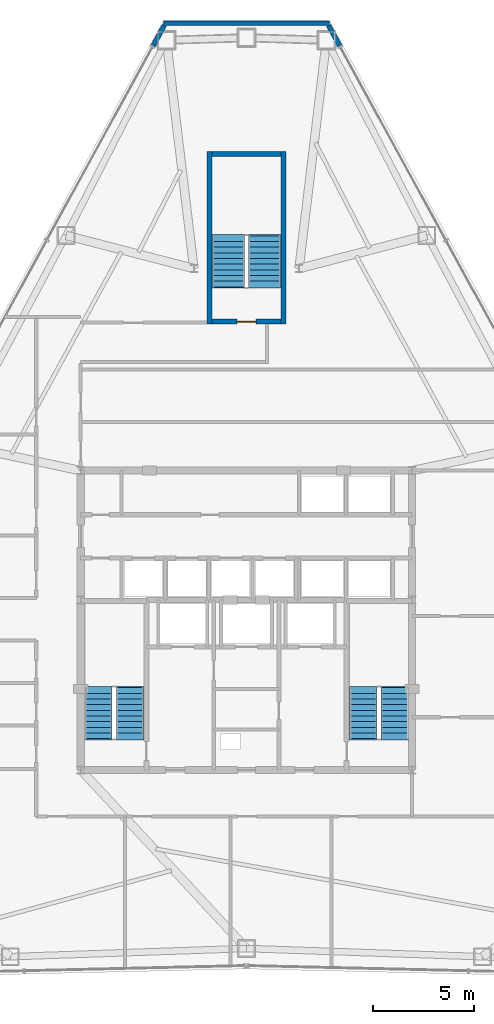
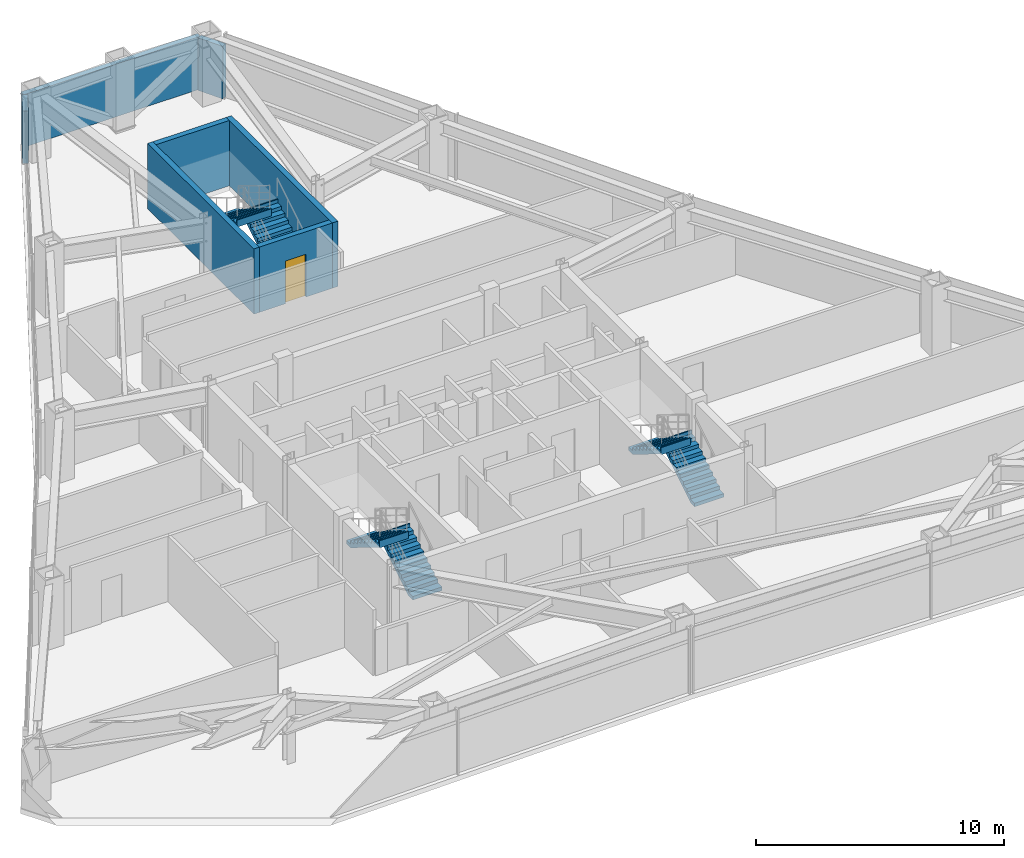
# One storey, part 10 of 11: 7 walls, 6 stair flights, 1 door, 1 opening, 3 elements without a shape of their own.
"""IFC4 building model written with IfcOpenShell, lengths in metres."""

from ifc_helpers import new_model, si_unit, direction, frame, frame_2d, origin, place, context, subcontext, project, spatial, polyline, rectangle, outline, extrude, material, layer, layer_set, type_object, element, fill, aggregate, save


model = new_model("IFC4")

# Units and contexts
model_context = context("Model", 3, precision=1e-05, world=origin(), true_north=direction((0.0, 1.0)))
body_context = subcontext(model_context, "Body", "Model", "MODEL_VIEW")
ifc_project = project(units=[si_unit("LENGTHUNIT", "METRE"), si_unit("AREAUNIT", "SQUARE_METRE"), si_unit("VOLUMEUNIT", "CUBIC_METRE"), si_unit("PLANEANGLEUNIT", "RADIAN"), si_unit("MASSUNIT", "GRAM", prefix="KILO")], contexts=[model_context])

# Site, building, storey
site_placement = place(None, origin())
site = spatial("IfcSite", under=ifc_project, at=site_placement, CompositionType="ELEMENT")
building_placement = place(site_placement, origin())
building = spatial("IfcBuilding", under=site, at=building_placement, Name="Varakhsha Concourse Tower", CompositionType="ELEMENT")
storey_placement = place(building_placement, frame((0.0, 0.0, 150.5)))
storey = spatial("IfcBuildingStorey", under=building, at=storey_placement, Name="L43", CompositionType="ELEMENT", Elevation=150.5)

# Walls
ifc_material_1 = material(Name="Concrete fc 45 MPa", Category="concrete")
ifc_layer_1 = layer(ifc_material_1, 0.239990234375, Name="WL-EXT-CRN-240")
ifc_layer_set_1 = layer_set([ifc_layer_1], Name="Concrete fc 45 MPa")
wall_type_1 = type_object("IfcWallType", Name="WL-EXT-CRN-240", PredefinedType="SHEAR", material=ifc_layer_set_1)
wall_1_placement = place(storey_placement, frame((35.89990234375, 53.338623046875, 0.0), z_axis=(0.0, 0.0, 1.0), x_axis=(1.0, 0.0, 0.0)))
element("IfcWall", 1, at=wall_1_placement, inside=storey, type_object=wall_type_1, Name="L43 Chamfer Wind-Corner Insulated Wall F1", PredefinedType="SHEAR", context=body_context, shape_type="SweptSolid", body=[
    extrude(rectangle(XDim=8.2001953125, YDim=0.239990234375, at=frame_2d((4.10009765625, 0.0))), origin(), (0.0, 0.0, 1.0), 2.5830078125),
])
for number, where, z_axis, x_axis, name in (
    (2, (35.934814453125, 53.228759765625, 0.0), (0.0, 0.0, 1.0), (-0.479514212656, -0.877534113218, 0.0), "L43 Wind-Corner Shoulder Wall F2"),
    (3, (44.62255859375, 52.208740234375, 0.0), (0.0, 0.0, 1.0), (-0.479514212656, 0.877534113218, 0.0), "L43 Wind-Corner Shoulder Wall F9"),
):
    element("IfcWall", number, at=place(storey_placement, frame(where, z_axis=z_axis, x_axis=x_axis)), inside=storey, type_object=wall_type_1, Name=name, PredefinedType="SHEAR", context=body_context, shape_type="SweptSolid", body=[
        extrude(rectangle(XDim=1.162353515625, YDim=0.239990234375, at=frame_2d((0.5810546875, 0.0))), origin(), (0.0, 0.0, 1.0), 2.5830078125),
    ])
ifc_layer_2 = layer(ifc_material_1, 0.25, Name="WL-STAIR-250")
ifc_layer_set_2 = layer_set([ifc_layer_2], Name="Concrete fc 45 MPa")
wall_type_2 = type_object("IfcWallType", Name="WL-STAIR-250", PredefinedType="SHEAR", material=ifc_layer_set_2)
for number, where, z_axis, x_axis, name in (
    (4, (38.175048828125, 38.449951171875, 0.0), (0.0, 0.0, 1.0), (0.0, 1.0, 0.0), "L43 Wall SWALL-ST5-W-L43"),
    (5, (41.824951171875, 38.449951171875, 0.0), (0.0, 0.0, 1.0), (0.0, 1.0, 0.0), "L43 Wall SWALL-ST5-E-L43"),
):
    element("IfcWall", number, at=place(storey_placement, frame(where, z_axis=z_axis, x_axis=x_axis)), inside=storey, type_object=wall_type_2, Name=name, PredefinedType="SHEAR", context=body_context, shape_type="SweptSolid", body=[
        extrude(rectangle(XDim=8.550048828125, YDim=0.25, at=frame_2d((4.27490234375, 0.0))), origin(), (0.0, 0.0, 1.0), 3.2099609375),
    ])

# Wall, opening, door
wall_2_placement = place(storey_placement, frame((38.300048828125, 38.574951171875, 0.0), z_axis=(0.0, 0.0, 1.0), x_axis=(1.0, 0.0, 0.0)))
wall_2 = element("IfcWall", 6, at=wall_2_placement, inside=storey, type_object=wall_type_2, Name="L43 Wall SWALL-ST5-S-L43", PredefinedType="SHEAR", context=body_context, shape_type="SweptSolid", body=[
    extrude(rectangle(XDim=3.39990234375, YDim=0.25, at=frame_2d((1.699951171875, 0.0))), origin(), (0.0, 0.0, 1.0), 3.2099609375),
])
opening_placement = place(wall_2_placement, frame((1.22509765625, 0.0, 0.0)))
opening = element("IfcOpeningElement", 7, at=opening_placement, cuts=wall_2, Name="Opening DF-03", PredefinedType="OPENING", context=body_context, shape_type="SweptSolid", body=[
    extrude(rectangle(XDim=0.949951171875, YDim=2.10009765625, at=frame_2d((0.47509765625, 1.050048828125))), frame((0.0, 0.135009765625, 0.0), z_axis=(0.0, -1.0, 0.0), x_axis=(1.0, 0.0, 0.0)), (0.0, 0.0, 1.0), 0.27001953125),
])
ifc_material_2 = material(Name="Hollow Galvanised Steel Fire Door Assembly", Category="steel")
door_type = type_object("IfcDoorType", Name="DR-FD90-950", OperationType="NOTDEFINED", PredefinedType="DOOR", material=ifc_material_2)
door_placement = place(opening_placement, origin())
door = element("IfcDoor", 8, at=door_placement, inside=storey, type_object=door_type, Name="L43 Stair ST5 Fire Door", OperationType="SINGLE_SWING_RIGHT", OverallHeight=2.10009765625, OverallWidth=0.949951171875, PredefinedType="DOOR", context=body_context, shape_type="SweptSolid", body=[
    extrude(rectangle(XDim=0.949951171875, YDim=2.10009765625, at=frame_2d((0.47509765625, 1.050048828125))), frame((0.0, 0.02490234375, 0.0), z_axis=(0.0, -1.0, 0.0), x_axis=(1.0, 0.0, 0.0)), (0.0, 0.0, 1.0), 0.050048828125),
])
fill(opening, door)

# Wall
wall_3_placement = place(storey_placement, frame((38.300048828125, 46.875, 0.0), z_axis=(0.0, 0.0, 1.0), x_axis=(1.0, 0.0, 0.0)))
element("IfcWall", 9, at=wall_3_placement, inside=storey, type_object=wall_type_2, Name="L43 Wall SWALL-ST5-N-L43", PredefinedType="SHEAR", context=body_context, shape_type="SweptSolid", body=[
    extrude(rectangle(XDim=3.39990234375, YDim=0.25, at=frame_2d((1.699951171875, 0.0))), origin(), (0.0, 0.0, 1.0), 3.2099609375),
])

# Stair, stair flights
stair_type_1 = type_object("IfcStairType", Name="ST-DOGLEG-1360", PredefinedType="HALF_TURN_STAIR", material=ifc_material_1)
stair_1_placement = place(storey_placement, origin())
stair_1 = element("IfcStair", 10, at=stair_1_placement, inside=storey, type_object=stair_type_1, Name="L43 Protected Exit Stair ST1", PredefinedType="HALF_TURN_STAIR")
stair_flight_type_1 = type_object("IfcStairFlightType", Name="STF-1360-R1725", PredefinedType="STRAIGHT", material=ifc_material_1)
stair_flight_1_placement = place(storey_placement, frame((34.239990234375, 17.93994140625, 0.0), z_axis=(0.0, 0.0, 1.0), x_axis=(0.0, 1.0, 0.0)))
stair_flight_1 = element("IfcStairFlight", 11, at=stair_flight_1_placement, type_object=stair_flight_type_1, Name="ST1 flight 1", NumberOfRisers=10, NumberOfTreads=9, PredefinedType="STRAIGHT", RiserHeight=0.1725, TreadLength=0.28, context=body_context, shape_type="SweptSolid", body=[
    extrude(outline(polyline([(-0.06005859375, 0.0), (-0.06005859375, 0.172607421875), (0.0, 0.172607421875), (0.280029296875, 0.172607421875), (0.280029296875, 0.344970703125), (0.56005859375, 0.344970703125), (0.56005859375, 0.517578125), (0.840087890625, 0.517578125), (0.840087890625, 0.68994140625), (1.1201171875, 0.68994140625), (1.1201171875, 0.862548828125), (1.39990234375, 0.862548828125), (1.39990234375, 1.034912109375), (1.679931640625, 1.034912109375), (1.679931640625, 1.20751953125), (1.9599609375, 1.20751953125), (1.9599609375, 1.3798828125), (2.239990234375, 1.3798828125), (2.239990234375, 1.552490234375), (2.52001953125, 1.552490234375), (2.52001953125, 1.72509765625), (2.580078125, 1.72509765625), (2.580078125, 1.37646484375), (2.52001953125, 1.37646484375), (0.285888671875, 0.0), (-0.06005859375, 0.0)])), frame((0.0, 0.68017578125, 0.0), z_axis=(0.0, -1.0, 0.0), x_axis=(1.0, 0.0, 0.0)), (0.0, 0.0, 1.0), 1.360107421875),
])
stair_flight_2_placement = place(storey_placement, frame((32.679931640625, 20.4599609375, 1.72509765625), z_axis=(0.0, 0.0, 1.0), x_axis=(0.0, -1.0, 0.0)))
stair_flight_2 = element("IfcStairFlight", 12, at=stair_flight_2_placement, type_object=stair_flight_type_1, Name="ST1 flight 2", NumberOfRisers=10, NumberOfTreads=9, PredefinedType="STRAIGHT", RiserHeight=0.1725, TreadLength=0.28, context=body_context, shape_type="SweptSolid", body=[
    extrude(outline(polyline([(-0.06005859375, 0.0), (-0.06005859375, 0.172607421875), (0.0, 0.172607421875), (0.280029296875, 0.172607421875), (0.280029296875, 0.344970703125), (0.56005859375, 0.344970703125), (0.56005859375, 0.517578125), (0.840087890625, 0.517578125), (0.840087890625, 0.68994140625), (1.1201171875, 0.68994140625), (1.1201171875, 0.862548828125), (1.39990234375, 0.862548828125), (1.39990234375, 1.034912109375), (1.679931640625, 1.034912109375), (1.679931640625, 1.20751953125), (1.9599609375, 1.20751953125), (1.9599609375, 1.3798828125), (2.239990234375, 1.3798828125), (2.239990234375, 1.552490234375), (2.52001953125, 1.552490234375), (2.52001953125, 1.72509765625), (2.580078125, 1.72509765625), (2.580078125, 1.37646484375), (2.52001953125, 1.37646484375), (0.285888671875, 0.0), (-0.06005859375, 0.0)])), frame((0.0, 0.68017578125, 0.0), z_axis=(0.0, -1.0, 0.0), x_axis=(1.0, 0.0, 0.0)), (0.0, 0.0, 1.0), 1.360107421875),
])
aggregate(stair_1, [stair_flight_1, stair_flight_2])

stair_2_placement = place(storey_placement, origin())
stair_2 = element("IfcStair", 13, at=stair_2_placement, inside=storey, type_object=stair_type_1, Name="L43 Protected Exit Stair ST2", PredefinedType="HALF_TURN_STAIR")
stair_flight_3_placement = place(storey_placement, frame((47.340087890625, 17.93994140625, 0.0), z_axis=(0.0, 0.0, 1.0), x_axis=(0.0, 1.0, 0.0)))
stair_flight_3 = element("IfcStairFlight", 14, at=stair_flight_3_placement, type_object=stair_flight_type_1, Name="ST2 flight 1", NumberOfRisers=10, NumberOfTreads=9, PredefinedType="STRAIGHT", RiserHeight=0.1725, TreadLength=0.28, context=body_context, shape_type="SweptSolid", body=[
    extrude(outline(polyline([(-0.06005859375, 0.0), (-0.06005859375, 0.172607421875), (0.0, 0.172607421875), (0.280029296875, 0.172607421875), (0.280029296875, 0.344970703125), (0.56005859375, 0.344970703125), (0.56005859375, 0.517578125), (0.840087890625, 0.517578125), (0.840087890625, 0.68994140625), (1.1201171875, 0.68994140625), (1.1201171875, 0.862548828125), (1.39990234375, 0.862548828125), (1.39990234375, 1.034912109375), (1.679931640625, 1.034912109375), (1.679931640625, 1.20751953125), (1.9599609375, 1.20751953125), (1.9599609375, 1.3798828125), (2.239990234375, 1.3798828125), (2.239990234375, 1.552490234375), (2.52001953125, 1.552490234375), (2.52001953125, 1.72509765625), (2.580078125, 1.72509765625), (2.580078125, 1.37646484375), (2.52001953125, 1.37646484375), (0.285888671875, 0.0), (-0.06005859375, 0.0)])), frame((0.0, 0.68017578125, 0.0), z_axis=(0.0, -1.0, 0.0), x_axis=(1.0, 0.0, 0.0)), (0.0, 0.0, 1.0), 1.360107421875),
])
stair_flight_4_placement = place(storey_placement, frame((45.780029296875, 20.4599609375, 1.72509765625), z_axis=(0.0, 0.0, 1.0), x_axis=(0.0, -1.0, 0.0)))
stair_flight_4 = element("IfcStairFlight", 15, at=stair_flight_4_placement, type_object=stair_flight_type_1, Name="ST2 flight 2", NumberOfRisers=10, NumberOfTreads=9, PredefinedType="STRAIGHT", RiserHeight=0.1725, TreadLength=0.28, context=body_context, shape_type="SweptSolid", body=[
    extrude(outline(polyline([(-0.06005859375, 0.0), (-0.06005859375, 0.172607421875), (0.0, 0.172607421875), (0.280029296875, 0.172607421875), (0.280029296875, 0.344970703125), (0.56005859375, 0.344970703125), (0.56005859375, 0.517578125), (0.840087890625, 0.517578125), (0.840087890625, 0.68994140625), (1.1201171875, 0.68994140625), (1.1201171875, 0.862548828125), (1.39990234375, 0.862548828125), (1.39990234375, 1.034912109375), (1.679931640625, 1.034912109375), (1.679931640625, 1.20751953125), (1.9599609375, 1.20751953125), (1.9599609375, 1.3798828125), (2.239990234375, 1.3798828125), (2.239990234375, 1.552490234375), (2.52001953125, 1.552490234375), (2.52001953125, 1.72509765625), (2.580078125, 1.72509765625), (2.580078125, 1.37646484375), (2.52001953125, 1.37646484375), (0.285888671875, 0.0), (-0.06005859375, 0.0)])), frame((0.0, 0.68017578125, 0.0), z_axis=(0.0, -1.0, 0.0), x_axis=(1.0, 0.0, 0.0)), (0.0, 0.0, 1.0), 1.360107421875),
])
aggregate(stair_2, [stair_flight_3, stair_flight_4])

stair_type_2 = type_object("IfcStairType", Name="ST-DOGLEG-1600", PredefinedType="HALF_TURN_STAIR", material=ifc_material_1)
stair_3_placement = place(storey_placement, origin())
stair_3 = element("IfcStair", 16, at=stair_3_placement, inside=storey, type_object=stair_type_2, Name="L43 Protected Exit Stair ST5", PredefinedType="HALF_TURN_STAIR")
stair_flight_type_2 = type_object("IfcStairFlightType", Name="STF-1600-R1725", PredefinedType="STRAIGHT", material=ifc_material_1)
stair_flight_5_placement = place(storey_placement, frame((40.89990234375, 40.300048828125, 0.0), z_axis=(0.0, 0.0, 1.0), x_axis=(0.0, 1.0, 0.0)))
stair_flight_5 = element("IfcStairFlight", 17, at=stair_flight_5_placement, type_object=stair_flight_type_2, Name="ST5 flight 1", NumberOfRisers=10, NumberOfTreads=9, PredefinedType="STRAIGHT", RiserHeight=0.1725, TreadLength=0.28, context=body_context, shape_type="SweptSolid", body=[
    extrude(outline(polyline([(-0.06005859375, 0.0), (-0.06005859375, 0.172607421875), (0.0, 0.172607421875), (0.280029296875, 0.172607421875), (0.280029296875, 0.344970703125), (0.56005859375, 0.344970703125), (0.56005859375, 0.517578125), (0.840087890625, 0.517578125), (0.840087890625, 0.68994140625), (1.1201171875, 0.68994140625), (1.1201171875, 0.862548828125), (1.39990234375, 0.862548828125), (1.39990234375, 1.034912109375), (1.679931640625, 1.034912109375), (1.679931640625, 1.20751953125), (1.9599609375, 1.20751953125), (1.9599609375, 1.3798828125), (2.239990234375, 1.3798828125), (2.239990234375, 1.552490234375), (2.52001953125, 1.552490234375), (2.52001953125, 1.72509765625), (2.580078125, 1.72509765625), (2.580078125, 1.37646484375), (2.52001953125, 1.37646484375), (0.285888671875, 0.0), (-0.06005859375, 0.0)])), frame((0.0, 0.800048828125, 0.0), z_axis=(0.0, -1.0, 0.0), x_axis=(1.0, 0.0, 0.0)), (0.0, 0.0, 1.0), 1.60009765625),
])
stair_flight_6_placement = place(storey_placement, frame((39.10009765625, 42.820068359375, 1.72509765625), z_axis=(0.0, 0.0, 1.0), x_axis=(0.0, -1.0, 0.0)))
stair_flight_6 = element("IfcStairFlight", 18, at=stair_flight_6_placement, type_object=stair_flight_type_2, Name="ST5 flight 2", NumberOfRisers=10, NumberOfTreads=9, PredefinedType="STRAIGHT", RiserHeight=0.1725, TreadLength=0.28, context=body_context, shape_type="SweptSolid", body=[
    extrude(outline(polyline([(-0.06005859375, 0.0), (-0.06005859375, 0.172607421875), (0.0, 0.172607421875), (0.280029296875, 0.172607421875), (0.280029296875, 0.344970703125), (0.56005859375, 0.344970703125), (0.56005859375, 0.517578125), (0.840087890625, 0.517578125), (0.840087890625, 0.68994140625), (1.1201171875, 0.68994140625), (1.1201171875, 0.862548828125), (1.39990234375, 0.862548828125), (1.39990234375, 1.034912109375), (1.679931640625, 1.034912109375), (1.679931640625, 1.20751953125), (1.9599609375, 1.20751953125), (1.9599609375, 1.3798828125), (2.239990234375, 1.3798828125), (2.239990234375, 1.552490234375), (2.52001953125, 1.552490234375), (2.52001953125, 1.72509765625), (2.580078125, 1.72509765625), (2.580078125, 1.37646484375), (2.52001953125, 1.37646484375), (0.285888671875, 0.0), (-0.06005859375, 0.0)])), frame((0.0, 0.800048828125, 0.0), z_axis=(0.0, -1.0, 0.0), x_axis=(1.0, 0.0, 0.0)), (0.0, 0.0, 1.0), 1.60009765625),
])
aggregate(stair_3, [stair_flight_5, stair_flight_6])

save(model, "model.ifc")
